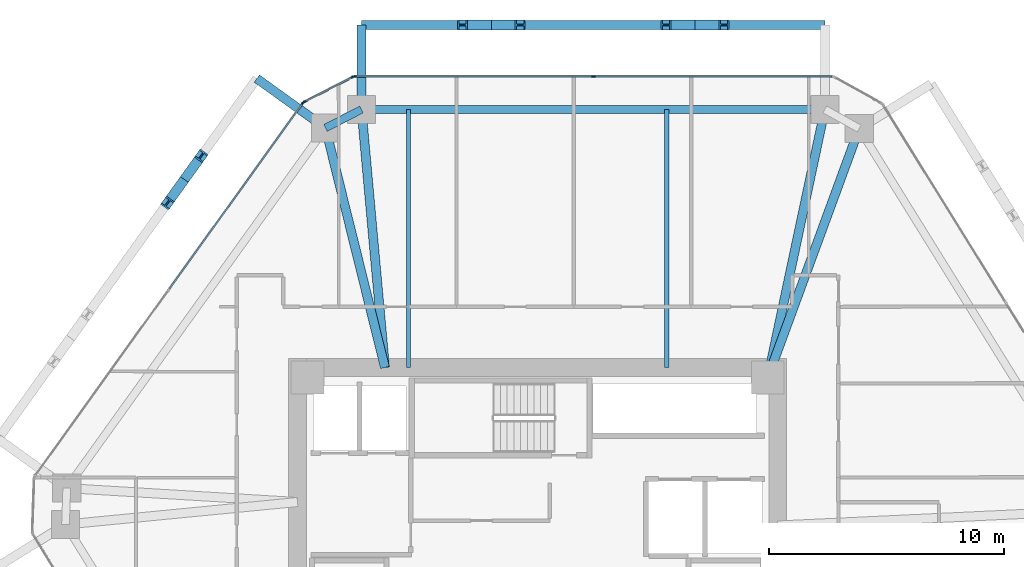
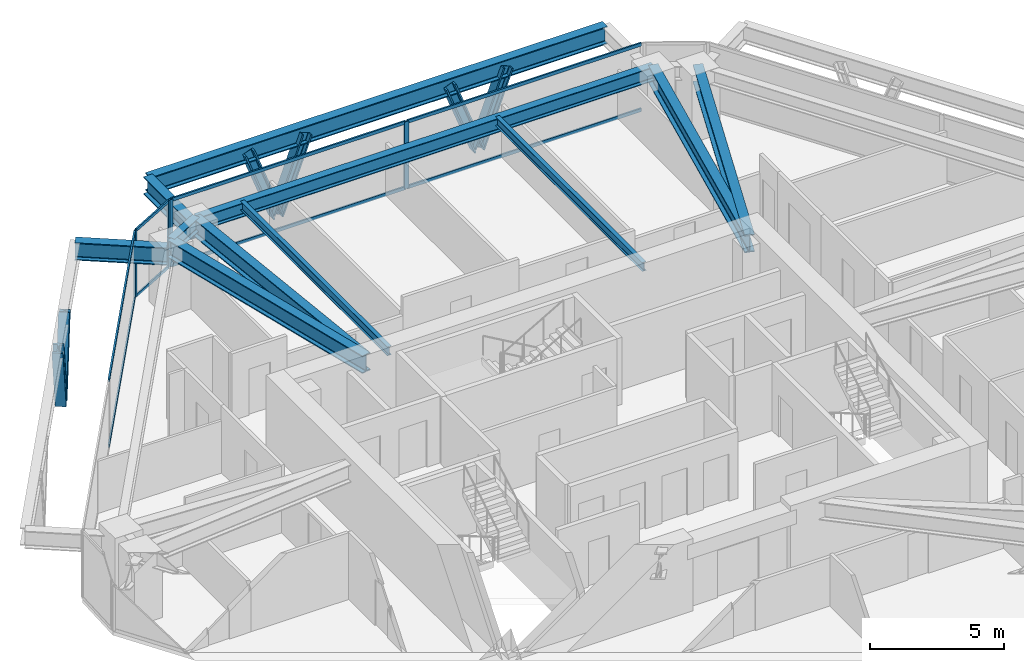
# One storey, part 7 of 14: 19 members, 11 beams, 3 elements without a shape of their own.
"""IFC4 building model written with IfcOpenShell, lengths in metres."""

from ifc_helpers import new_model, si_unit, direction, frame, origin, origin_2d, place, context, subcontext, project, spatial, rectangle, i_section, extrude, source, transform, mapped, material, layer, layer_set, material_profile, profile_set, type_object, type_shapes, element, aggregate, save


model = new_model("IFC4")

# Units and contexts
model_context = context("Model", 3, precision=1e-05, world=origin(), true_north=direction((0.0, 1.0)))
body_context = subcontext(model_context, "Body", "Model", "MODEL_VIEW")
ifc_project = project(units=[si_unit("LENGTHUNIT", "METRE"), si_unit("AREAUNIT", "SQUARE_METRE"), si_unit("VOLUMEUNIT", "CUBIC_METRE"), si_unit("PLANEANGLEUNIT", "RADIAN"), si_unit("MASSUNIT", "GRAM", prefix="KILO")], contexts=[model_context])

# Site, building, storey
site_placement = place(None, origin())
site = spatial("IfcSite", under=ifc_project, at=site_placement, CompositionType="ELEMENT")
building_placement = place(site_placement, origin())
building = spatial("IfcBuilding", under=site, at=building_placement, Name="Durnholm Broadcast Tower", CompositionType="ELEMENT")
storey_placement = place(building_placement, frame((0.0, 0.0, 127.199951171875)))
storey = spatial("IfcBuildingStorey", under=building, at=storey_placement, Name="L34", CompositionType="ELEMENT", Elevation=127.199951171875)

# Beams
ifc_material_1 = material(Name="Steel ASTM A992 Grade 50", Category="steel")
ifc_material_profile_1 = material_profile(ifc_material_1, i_section(OverallWidth=0.385009765625, OverallDepth=0.802978515625, WebThickness=0.023681640625, FlangeThickness=0.0419921875, FilletRadius=0.032958984375, at=origin_2d()), Name="W30X261")
ifc_profile_set_1 = profile_set([ifc_material_profile_1], Name="Steel ASTM A992 Grade 50")
beam_type_1 = type_object("IfcBeamType", Name="BM-EXO-TIE", PredefinedType="USERDEFINED", material=ifc_profile_set_1)
shared_shape_1 = source(origin(), body_context, "Body", "SweptSolid", [
    extrude(i_section(OverallWidth=0.385009765625, OverallDepth=0.802978515625, WebThickness=0.023681640625, FlangeThickness=0.0419921875, FilletRadius=0.032958984375, at=origin_2d()), origin(), (0.0, 0.0, 1.0), 3.4560546875),
])
beam_1_placement = place(storey_placement, frame((-7.498046875, 19.35888671875, 2.30859375), z_axis=(0.0, 1.0, 0.0), x_axis=(-1.0, 0.0, 0.0)))
element("IfcBeam", 1, at=beam_1_placement, inside=storey, type_object=beam_type_1, Name="L34 exoskeleton stand-off tie bracket F4.2", ObjectType="GIRDER", PredefinedType="USERDEFINED", context=body_context, shape_type="MappedRepresentation", body=[
    mapped(shared_shape_1, transform((0.0, 0.0, 0.0), x_axis=(1.0, 0.0, 0.0), y_axis=(0.0, 1.0, 0.0), z_axis=(0.0, 0.0, 1.0), scale=1.0)),
])
ifc_material_profile_2 = material_profile(ifc_material_1, i_section(OverallWidth=0.3291015625, OverallDepth=0.635009765625, WebThickness=0.017822265625, FlangeThickness=0.031005859375, FilletRadius=0.02783203125, at=origin_2d()), Name="W24X162")
ifc_profile_set_2 = profile_set([ifc_material_profile_2], Name="Steel ASTM A992 Grade 50")
beam_type_2 = type_object("IfcBeamType", Name="STL-SP-W24X162", PredefinedType="SPANDREL", material=ifc_profile_set_2)
shared_shape_2 = source(origin(), body_context, "Body", "SweptSolid", [
    extrude(i_section(OverallWidth=0.3291015625, OverallDepth=0.635009765625, WebThickness=0.017822265625, FlangeThickness=0.031005859375, FilletRadius=0.02783203125, at=origin_2d()), origin(), (0.0, 0.0, 1.0), 1.723876953125),
])
beam_2_placement = place(storey_placement, frame((-9.031982421875, 18.42822265625, 2.7275390625), z_axis=(0.889762904339, 0.456423020959, 0.0), x_axis=(-0.456423020959, 0.889762904339, 0.0)))
element("IfcBeam", 2, at=beam_2_placement, inside=storey, type_object=beam_type_2, Name="L34 perimeter spandrel girder 04", PredefinedType="SPANDREL", context=body_context, shape_type="MappedRepresentation", body=[
    mapped(shared_shape_2, transform((0.0, 0.0, 0.0), x_axis=(1.0, 0.0, 0.0), y_axis=(0.0, 1.0, 0.0), z_axis=(0.0, 0.0, 1.0), scale=1.0)),
])
shared_shape_3 = source(origin(), body_context, "Body", "SweptSolid", [
    extrude(i_section(OverallWidth=0.3291015625, OverallDepth=0.635009765625, WebThickness=0.017822265625, FlangeThickness=0.031005859375, FilletRadius=0.02783203125, at=origin_2d()), origin(), (0.0, 0.0, 1.0), 19.72802734375),
])
type_shapes(beam_type_2, [shared_shape_2, shared_shape_3])
beam_3_placement = place(storey_placement, frame((-7.498046875, 19.215087890625, 2.7275390625), z_axis=(1.0, 0.0, 0.0), x_axis=(0.0, 1.0, 0.0)))
element("IfcBeam", 3, at=beam_3_placement, inside=storey, type_object=beam_type_2, Name="L34 perimeter spandrel girder 05", PredefinedType="SPANDREL", context=body_context, shape_type="MappedRepresentation", body=[
    mapped(shared_shape_3, transform((0.0, 0.0, 0.0), x_axis=(1.0, 0.0, 0.0), y_axis=(0.0, 1.0, 0.0), z_axis=(0.0, 0.0, 1.0), scale=1.0)),
])
ifc_material_profile_3 = material_profile(ifc_material_1, i_section(OverallWidth=0.385009765625, OverallDepth=0.802978515625, WebThickness=0.023681640625, FlangeThickness=0.0419921875, FilletRadius=0.032958984375, at=origin_2d()), Name="W30X261")
ifc_profile_set_3 = profile_set([ifc_material_profile_3], Name="Steel ASTM A992 Grade 50")
beam_type_3 = type_object("IfcBeamType", Name="STL-GR-W30X261", PredefinedType="USERDEFINED", material=ifc_profile_set_3)
shared_shape_4 = source(origin(), body_context, "Body", "SweptSolid", [
    extrude(i_section(OverallWidth=0.385009765625, OverallDepth=0.802978515625, WebThickness=0.023681640625, FlangeThickness=0.0419921875, FilletRadius=0.032958984375, at=origin_2d()), origin(), (0.0, 0.0, 1.0), 10.5126953125),
])
beam_4_placement = place(storey_placement, frame((-6.5, 8.22509765625, 2.6435546875), z_axis=(-0.240852230194, 0.970561797729, 0.0), x_axis=(-0.970561797729, -0.240852230194, 0.0)))
element("IfcBeam", 4, at=beam_4_placement, inside=storey, type_object=beam_type_3, Name="L34 radial primary floor girder 04", ObjectType="GIRDER", PredefinedType="USERDEFINED", context=body_context, shape_type="MappedRepresentation", body=[
    mapped(shared_shape_4, transform((0.0, 0.0, 0.0), x_axis=(1.0, 0.0, 0.0), y_axis=(0.0, 1.0, 0.0), z_axis=(0.0, 0.0, 1.0), scale=1.0)),
])
shared_shape_5 = source(origin(), body_context, "Body", "SweptSolid", [
    extrude(i_section(OverallWidth=0.385009765625, OverallDepth=0.802978515625, WebThickness=0.023681640625, FlangeThickness=0.0419921875, FilletRadius=0.032958984375, at=origin_2d()), origin(), (0.0, 0.0, 1.0), 11.03515625),
])
beam_5_placement = place(storey_placement, frame((-6.5, 8.22509765625, 2.6435546875), z_axis=(-0.090441991612, 0.995901725148, 0.0), x_axis=(-0.995901725148, -0.090441991612, 0.0)))
element("IfcBeam", 5, at=beam_5_placement, inside=storey, type_object=beam_type_3, Name="L34 radial primary floor girder 05", ObjectType="GIRDER", PredefinedType="USERDEFINED", context=body_context, shape_type="MappedRepresentation", body=[
    mapped(shared_shape_5, transform((0.0, 0.0, 0.0), x_axis=(1.0, 0.0, 0.0), y_axis=(0.0, 1.0, 0.0), z_axis=(0.0, 0.0, 1.0), scale=1.0)),
])
shared_shape_6 = source(origin(), body_context, "Body", "SweptSolid", [
    extrude(i_section(OverallWidth=0.385009765625, OverallDepth=0.802978515625, WebThickness=0.023681640625, FlangeThickness=0.0419921875, FilletRadius=0.032958984375, at=origin_2d()), origin(), (0.0, 0.0, 1.0), 11.6708984375),
])
beam_6_placement = place(storey_placement, frame((9.800048828125, 7.800048828125, 2.6435546875), z_axis=(0.208206004915, 0.97808499606, 0.0), x_axis=(-0.97808499606, 0.208206004915, 0.0)))
element("IfcBeam", 6, at=beam_6_placement, inside=storey, type_object=beam_type_3, Name="L34 radial primary floor girder 06", ObjectType="GIRDER", PredefinedType="USERDEFINED", context=body_context, shape_type="MappedRepresentation", body=[
    mapped(shared_shape_6, transform((0.0, 0.0, 0.0), x_axis=(1.0, 0.0, 0.0), y_axis=(0.0, 1.0, 0.0), z_axis=(0.0, 0.0, 1.0), scale=1.0)),
])
shared_shape_7 = source(origin(), body_context, "Body", "SweptSolid", [
    extrude(i_section(OverallWidth=0.385009765625, OverallDepth=0.802978515625, WebThickness=0.023681640625, FlangeThickness=0.0419921875, FilletRadius=0.032958984375, at=origin_2d()), origin(), (0.0, 0.0, 1.0), 11.293212890625),
])
type_shapes(beam_type_3, [shared_shape_4, shared_shape_5, shared_shape_6, shared_shape_7])
beam_7_placement = place(storey_placement, frame((9.800048828125, 7.800048828125, 2.6435546875), z_axis=(0.344640193759, 0.938734859716, 0.0), x_axis=(-0.938734859716, 0.344640193759, 0.0)))
element("IfcBeam", 7, at=beam_7_placement, inside=storey, type_object=beam_type_3, Name="L34 radial primary floor girder 07", ObjectType="GIRDER", PredefinedType="USERDEFINED", context=body_context, shape_type="MappedRepresentation", body=[
    mapped(shared_shape_7, transform((0.0, 0.0, 0.0), x_axis=(1.0, 0.0, 0.0), y_axis=(0.0, 1.0, 0.0), z_axis=(0.0, 0.0, 1.0), scale=1.0)),
])
ifc_material_profile_4 = material_profile(ifc_material_1, i_section(OverallWidth=0.177734375, OverallDepth=0.40673828125, WebThickness=0.0078125, FlangeThickness=0.0126953125, FilletRadius=0.01904296875, at=origin_2d()), Name="W16X40")
ifc_profile_set_4 = profile_set([ifc_material_profile_4], Name="Steel ASTM A992 Grade 50")
beam_type_4 = type_object("IfcBeamType", Name="STL-BJ-W16X40", PredefinedType="JOIST", material=ifc_profile_set_4)
shared_shape_8 = source(origin(), body_context, "Body", "SweptSolid", [
    extrude(i_section(OverallWidth=0.177734375, OverallDepth=0.40673828125, WebThickness=0.0078125, FlangeThickness=0.0126953125, FilletRadius=0.01904296875, at=origin_2d()), origin(), (0.0, 0.0, 1.0), 10.989990234375),
])
type_shapes(beam_type_4, [shared_shape_8])
for number, where, z_axis, x_axis, name in (
    (8, (-5.5, 8.22509765625, 2.841796875), (0.0, 1.0, 0.0), (-1.0, 0.0, 0.0), "L34 secondary floor joist 3.2"),
    (9, (5.5, 8.22509765625, 2.841796875), (0.0, 1.0, 0.0), (-1.0, 0.0, 0.0), "L34 secondary floor joist 4.2"),
):
    element("IfcBeam", number, at=place(storey_placement, frame(where, z_axis=z_axis, x_axis=x_axis)), inside=storey, type_object=beam_type_4, Name=name, PredefinedType="JOIST", context=body_context, shape_type="MappedRepresentation", body=[
        mapped(shared_shape_8, transform((0.0, 0.0, 0.0), x_axis=(1.0, 0.0, 0.0), y_axis=(0.0, 1.0, 0.0), z_axis=(0.0, 0.0, 1.0), scale=1.0)),
    ])
shared_shape_9 = source(origin(), body_context, "Body", "SweptSolid", [
    extrude(i_section(OverallWidth=0.385009765625, OverallDepth=0.802978515625, WebThickness=0.023681640625, FlangeThickness=0.0419921875, FilletRadius=0.032958984375, at=origin_2d()), origin(), (0.0, 0.0, 1.0), 19.72802734375),
])
beam_8_placement = place(storey_placement, frame((12.22998046875, 22.81494140625, 2.30859375), z_axis=(-1.0, 0.0, 0.0), x_axis=(0.0, -1.0, 0.0)))
element("IfcBeam", 10, at=beam_8_placement, inside=storey, type_object=beam_type_1, Name="L34 exoskeleton collector spandrel F4", PredefinedType="SPANDREL", context=body_context, shape_type="MappedRepresentation", body=[
    mapped(shared_shape_9, transform((0.0, 0.0, 0.0), x_axis=(1.0, 0.0, 0.0), y_axis=(0.0, 1.0, 0.0), z_axis=(0.0, 0.0, 1.0), scale=1.0)),
])
shared_shape_10 = source(origin(), body_context, "Body", "SweptSolid", [
    extrude(i_section(OverallWidth=0.385009765625, OverallDepth=0.802978515625, WebThickness=0.023681640625, FlangeThickness=0.0419921875, FilletRadius=0.032958984375, at=origin_2d()), origin(), (0.0, 0.0, 1.0), 3.456298828125),
])
type_shapes(beam_type_1, [shared_shape_1, shared_shape_9, shared_shape_10])
beam_9_placement = place(storey_placement, frame((-9.14892578125, 18.51220703125, 2.30859375), z_axis=(-0.812131479052, 0.583474473077, 0.0), x_axis=(-0.583474473077, -0.812131479052, 0.0)))
element("IfcBeam", 11, at=beam_9_placement, inside=storey, type_object=beam_type_1, Name="L34 exoskeleton stand-off tie bracket F5.1", ObjectType="GIRDER", PredefinedType="USERDEFINED", context=body_context, shape_type="MappedRepresentation", body=[
    mapped(shared_shape_10, transform((0.0, 0.0, 0.0), x_axis=(1.0, 0.0, 0.0), y_axis=(0.0, 1.0, 0.0), z_axis=(0.0, 0.0, 1.0), scale=1.0)),
])

# Members
ifc_material_2 = material(Name="Steel ASTM A913 Grade 65", Category="steel")
ifc_material_profile_5 = material_profile(ifc_material_2, i_section(OverallWidth=0.41845703125, OverallDepth=0.455078125, WebThickness=0.0419921875, FlangeThickness=0.067626953125, FilletRadius=0.030517578125, at=origin_2d()), Name="W14X370")
ifc_profile_set_5 = profile_set([ifc_material_profile_5], Name="Steel ASTM A913 Grade 65")
member_type_1 = type_object("IfcMemberType", Name="STL-DG-W14X370", PredefinedType="BRACE", material=ifc_profile_set_5)
shared_shape_11 = source(origin(), body_context, "Body", "SweptSolid", [
    extrude(i_section(OverallWidth=0.41845703125, OverallDepth=0.455078125, WebThickness=0.0419921875, FlangeThickness=0.067626953125, FilletRadius=0.030517578125, at=origin_2d()), origin(), (0.0, 0.0, 1.0), 3.523193359375),
])
type_shapes(member_type_1, [shared_shape_11])
for number, where, z_axis, x_axis, name in (
    (12, (6.7060546875, 22.81494140625, -0.991455078125), (0.350219588454, 0.0, 0.936667625075), (0.0, 1.0, 0.0), "L34 stand-off diagrid brace F4.D1.1"),
    (13, (6.7060546875, 22.81494140625, -0.991455078125), (-0.350158790071, 0.0, 0.936690355313), (0.0, -1.0, 0.0), "L34 stand-off diagrid brace F4.D1.2"),
    (14, (-1.974365234375, 22.81494140625, -0.991455078125), (0.350219588454, 0.0, 0.936667625075), (0.0, 1.0, 0.0), "L34 stand-off diagrid brace F4.D2.1"),
    (15, (-1.974365234375, 22.81494140625, -0.991455078125), (-0.350158790071, 0.0, 0.936690355313), (0.0, -1.0, 0.0), "L34 stand-off diagrid brace F4.D2.2"),
    (16, (-15.040771484375, 16.234375, -0.991455078125), (0.204287819296, 0.284395254542, 0.936688756248), (-0.812179469647, 0.583407669717, 0.0), "L34 stand-off diagrid brace F5.D1.1"),
    (17, (-15.040771484375, 16.234375, -0.991455078125), (-0.204354222964, -0.284391227889, 0.936675493998), (0.812085698931, -0.583538188632, 0.0), "L34 stand-off diagrid brace F5.D1.2"),
):
    element("IfcMember", number, at=place(storey_placement, frame(where, z_axis=z_axis, x_axis=x_axis)), inside=storey, type_object=member_type_1, Name=name, PredefinedType="BRACE", context=body_context, shape_type="MappedRepresentation", body=[
        mapped(shared_shape_11, transform((0.0, 0.0, 0.0), x_axis=(1.0, 0.0, 0.0), y_axis=(0.0, 1.0, 0.0), z_axis=(0.0, 0.0, 1.0), scale=1.0)),
    ])

# Curtain wall, members
ifc_material_3 = material(Name="Aluminium and Solar Control IGU", Category="aluminium")
ifc_layer_1 = layer(ifc_material_3, 0.1650390625)
ifc_layer_set_1 = layer_set([ifc_layer_1], Name="Aluminium and Solar Control IGU")
curtain_wall_type_1 = type_object("IfcCurtainWallType", Name="CW-SYS-5", PredefinedType="NOTDEFINED", material=ifc_layer_set_1)
curtain_wall_1_placement = place(storey_placement, origin())
curtain_wall_1 = element("IfcCurtainWall", 18, at=curtain_wall_1_placement, inside=storey, type_object=curtain_wall_type_1, Name="L34 curtain wall CW-CORNER CW-L34-CRN-03", PredefinedType="NOTDEFINED")
ifc_material_4 = material(Name="Aluminium 6063-T6", Category="aluminium")
ifc_material_profile_6 = material_profile(ifc_material_4, rectangle(XDim=0.06494140625, YDim=0.1650390625, at=origin_2d()), Name="CWM65X165")
ifc_profile_set_6 = profile_set([ifc_material_profile_6], Name="Aluminium 6063-T6")
member_type_2 = type_object("IfcMemberType", Name="CW-SYS-5-MUL", PredefinedType="MULLION", material=ifc_profile_set_6)
shared_shape_12 = source(origin(), body_context, "Body", "SweptSolid", [
    extrude(rectangle(XDim=0.06494140625, YDim=0.1650390625, at=origin_2d()), origin(), (0.0, 0.0, 1.0), 3.06005859375),
])
type_shapes(member_type_2, [shared_shape_12])
member_1_placement = place(storey_placement, frame((-9.94287109375, 19.534423828125, 0.0), z_axis=(0.0, 0.0, 1.0), x_axis=(-0.45637332267, 0.889788396392, 0.0)))
member_1 = element("IfcMember", 19, at=member_1_placement, type_object=member_type_2, Name="CW-CORNER mullion 1", PredefinedType="MULLION", context=body_context, shape_type="MappedRepresentation", body=[
    mapped(shared_shape_12, transform((0.0, 0.0, 0.0), x_axis=(1.0, 0.0, 0.0), y_axis=(0.0, 1.0, 0.0), z_axis=(0.0, 0.0, 1.0), scale=1.0)),
])
member_2_placement = place(storey_placement, frame((-7.865234375, 20.60009765625, 0.0), z_axis=(0.0, 0.0, 1.0), x_axis=(-0.45637332267, 0.889788396392, 0.0)))
member_2 = element("IfcMember", 20, at=member_2_placement, type_object=member_type_2, Name="CW-CORNER mullion 2", PredefinedType="MULLION", context=body_context, shape_type="MappedRepresentation", body=[
    mapped(shared_shape_12, transform((0.0, 0.0, 0.0), x_axis=(1.0, 0.0, 0.0), y_axis=(0.0, 1.0, 0.0), z_axis=(0.0, 0.0, 1.0), scale=1.0)),
])

# Curtain wall, member
ifc_layer_2 = layer(ifc_material_3, 0.18994140625)
ifc_layer_set_2 = layer_set([ifc_layer_2], Name="Aluminium and Solar Control IGU")
curtain_wall_type_2 = type_object("IfcCurtainWallType", Name="CW-SYS-3", PredefinedType="NOTDEFINED", material=ifc_layer_set_2)
curtain_wall_2_placement = place(storey_placement, origin())
curtain_wall_2 = element("IfcCurtainWall", 21, at=curtain_wall_2_placement, inside=storey, type_object=curtain_wall_type_2, Name="L34 curtain wall CW-Z12-VIS CW-L34-F02", PredefinedType="NOTDEFINED")
ifc_material_profile_7 = material_profile(ifc_material_4, rectangle(XDim=0.070068359375, YDim=0.18994140625, at=origin_2d()), Name="CWM70X190")
ifc_profile_set_7 = profile_set([ifc_material_profile_7], Name="Aluminium 6063-T6")
member_type_3 = type_object("IfcMemberType", Name="CW-SYS-3-MUL", PredefinedType="MULLION", material=ifc_profile_set_7)
shared_shape_13 = source(origin(), body_context, "Body", "SweptSolid", [
    extrude(rectangle(XDim=0.070068359375, YDim=0.18994140625, at=origin_2d()), origin(), (0.0, 0.0, 1.0), 3.06005859375),
])
type_shapes(member_type_3, [shared_shape_13])
member_3_placement = place(storey_placement, frame((-9.9921875, 19.4912109375, 0.0), z_axis=(0.0, 0.0, 1.0), x_axis=(-0.812152312759, 0.583445473786, 0.0)))
member_3 = element("IfcMember", 22, at=member_3_placement, type_object=member_type_3, Name="CW-Z12-VIS mullion 3", PredefinedType="MULLION", context=body_context, shape_type="MappedRepresentation", body=[
    mapped(shared_shape_13, transform((0.0, 0.0, 0.0), x_axis=(1.0, 0.0, 0.0), y_axis=(0.0, 1.0, 0.0), z_axis=(0.0, 0.0, 1.0), scale=1.0)),
])

# Curtain wall, members
curtain_wall_3_placement = place(storey_placement, origin())
curtain_wall_3 = element("IfcCurtainWall", 23, at=curtain_wall_3_placement, inside=storey, type_object=curtain_wall_type_2, Name="L34 curtain wall CW-Z12-VIS CW-L34-F04", PredefinedType="NOTDEFINED")
member_4_placement = place(storey_placement, frame((-7.80126953125, 20.614990234375, 0.0), z_axis=(0.0, 0.0, 1.0), x_axis=(0.0, 1.0, 0.0)))
member_4 = element("IfcMember", 24, at=member_4_placement, type_object=member_type_3, Name="CW-Z12-VIS mullion 1", PredefinedType="MULLION", context=body_context, shape_type="MappedRepresentation", body=[
    mapped(shared_shape_13, transform((0.0, 0.0, 0.0), x_axis=(1.0, 0.0, 0.0), y_axis=(0.0, 1.0, 0.0), z_axis=(0.0, 0.0, 1.0), scale=1.0)),
])
member_5_placement = place(storey_placement, frame((2.37841796875, 20.614990234375, 0.0), z_axis=(0.0, 0.0, 1.0), x_axis=(0.0, 1.0, 0.0)))
member_5 = element("IfcMember", 25, at=member_5_placement, type_object=member_type_3, Name="CW-Z12-VIS mullion 2", PredefinedType="MULLION", context=body_context, shape_type="MappedRepresentation", body=[
    mapped(shared_shape_13, transform((0.0, 0.0, 0.0), x_axis=(1.0, 0.0, 0.0), y_axis=(0.0, 1.0, 0.0), z_axis=(0.0, 0.0, 1.0), scale=1.0)),
])

# Member
ifc_material_profile_8 = material_profile(ifc_material_4, rectangle(XDim=0.06494140625, YDim=0.1298828125, at=origin_2d()), Name="CWT65X130")
ifc_profile_set_8 = profile_set([ifc_material_profile_8], Name="Aluminium 6063-T6")
member_type_4 = type_object("IfcMemberType", Name="CW-SYS-5-TRN", PredefinedType="USERDEFINED", material=ifc_profile_set_8)
shared_shape_14 = source(origin(), body_context, "Body", "SweptSolid", [
    extrude(rectangle(XDim=0.06494140625, YDim=0.1298828125, at=origin_2d()), origin(), (0.0, 0.0, 1.0), 2.27001953125),
])
type_shapes(member_type_4, [shared_shape_14])
member_6_placement = place(storey_placement, frame((-9.913818359375, 19.54931640625, 0.032470703125), z_axis=(0.889754750021, 0.456438916849, 0.0), x_axis=(-0.456438916849, 0.889754750021, 0.0)))
member_6 = element("IfcMember", 26, at=member_6_placement, type_object=member_type_4, Name="CW-CORNER transom 1.1", ObjectType="TRANSOM", PredefinedType="USERDEFINED", context=body_context, shape_type="MappedRepresentation", body=[
    mapped(shared_shape_14, transform((0.0, 0.0, 0.0), x_axis=(1.0, 0.0, 0.0), y_axis=(0.0, 1.0, 0.0), z_axis=(0.0, 0.0, 1.0), scale=1.0)),
])

member_7_placement = place(storey_placement, frame((-9.913818359375, 19.54931640625, 3.027587890625), z_axis=(0.889754750021, 0.456438916849, 0.0), x_axis=(-0.456438916849, 0.889754750021, 0.0)))
member_7 = element("IfcMember", 27, at=member_7_placement, type_object=member_type_4, Name="CW-CORNER transom 1.2", ObjectType="TRANSOM", PredefinedType="USERDEFINED", context=body_context, shape_type="MappedRepresentation", body=[
    mapped(shared_shape_14, transform((0.0, 0.0, 0.0), x_axis=(1.0, 0.0, 0.0), y_axis=(0.0, 1.0, 0.0), z_axis=(0.0, 0.0, 1.0), scale=1.0)),
])

aggregate(curtain_wall_1, [member_1, member_2, member_6, member_7])

ifc_material_profile_9 = material_profile(ifc_material_4, rectangle(XDim=0.070068359375, YDim=0.14990234375, at=origin_2d()), Name="CWT70X150")
ifc_profile_set_9 = profile_set([ifc_material_profile_9], Name="Aluminium 6063-T6")
member_type_5 = type_object("IfcMemberType", Name="CW-SYS-3-TRN", PredefinedType="USERDEFINED", material=ifc_profile_set_9)
shared_shape_15 = source(origin(), body_context, "Body", "SweptSolid", [
    extrude(rectangle(XDim=0.070068359375, YDim=0.14990234375, at=origin_2d()), origin(), (0.0, 0.0, 1.0), 9.71875),
])
member_8_placement = place(storey_placement, frame((-15.682861328125, 11.56982421875, 0.03515625), z_axis=(0.583450726174, 0.812148539448, 0.0), x_axis=(-0.812148539448, 0.583450726174, 0.0)))
member_8 = element("IfcMember", 28, at=member_8_placement, type_object=member_type_5, Name="CW-Z12-VIS transom 2.1", ObjectType="TRANSOM", PredefinedType="USERDEFINED", context=body_context, shape_type="MappedRepresentation", body=[
    mapped(shared_shape_15, transform((0.0, 0.0, 0.0), x_axis=(1.0, 0.0, 0.0), y_axis=(0.0, 1.0, 0.0), z_axis=(0.0, 0.0, 1.0), scale=1.0)),
])

member_9_placement = place(storey_placement, frame((-15.682861328125, 11.56982421875, 3.025146484375), z_axis=(0.583450726174, 0.812148539448, 0.0), x_axis=(-0.812148539448, 0.583450726174, 0.0)))
member_9 = element("IfcMember", 29, at=member_9_placement, type_object=member_type_5, Name="CW-Z12-VIS transom 2.2", ObjectType="TRANSOM", PredefinedType="USERDEFINED", context=body_context, shape_type="MappedRepresentation", body=[
    mapped(shared_shape_15, transform((0.0, 0.0, 0.0), x_axis=(1.0, 0.0, 0.0), y_axis=(0.0, 1.0, 0.0), z_axis=(0.0, 0.0, 1.0), scale=1.0)),
])

aggregate(curtain_wall_2, [member_3, member_8, member_9])

shared_shape_16 = source(origin(), body_context, "Body", "SweptSolid", [
    extrude(rectangle(XDim=0.070068359375, YDim=0.14990234375, at=origin_2d()), origin(), (0.0, 0.0, 1.0), 10.109619140625),
])
type_shapes(member_type_5, [shared_shape_15, shared_shape_16])
member_10_placement = place(storey_placement, frame((-7.76611328125, 20.614990234375, 0.03515625), z_axis=(1.0, 0.0, 0.0), x_axis=(0.0, 1.0, 0.0)))
member_10 = element("IfcMember", 30, at=member_10_placement, type_object=member_type_5, Name="CW-Z12-VIS transom 1.1", ObjectType="TRANSOM", PredefinedType="USERDEFINED", context=body_context, shape_type="MappedRepresentation", body=[
    mapped(shared_shape_16, transform((0.0, 0.0, 0.0), x_axis=(1.0, 0.0, 0.0), y_axis=(0.0, 1.0, 0.0), z_axis=(0.0, 0.0, 1.0), scale=1.0)),
])

member_11_placement = place(storey_placement, frame((-7.76611328125, 20.614990234375, 3.025146484375), z_axis=(1.0, 0.0, 0.0), x_axis=(0.0, 1.0, 0.0)))
member_11 = element("IfcMember", 31, at=member_11_placement, type_object=member_type_5, Name="CW-Z12-VIS transom 1.2", ObjectType="TRANSOM", PredefinedType="USERDEFINED", context=body_context, shape_type="MappedRepresentation", body=[
    mapped(shared_shape_16, transform((0.0, 0.0, 0.0), x_axis=(1.0, 0.0, 0.0), y_axis=(0.0, 1.0, 0.0), z_axis=(0.0, 0.0, 1.0), scale=1.0)),
])

member_12_placement = place(storey_placement, frame((2.41357421875, 20.614990234375, 0.03515625), z_axis=(1.0, 0.0, 0.0), x_axis=(0.0, 1.0, 0.0)))
member_12 = element("IfcMember", 32, at=member_12_placement, type_object=member_type_5, Name="CW-Z12-VIS transom 2.1", ObjectType="TRANSOM", PredefinedType="USERDEFINED", context=body_context, shape_type="MappedRepresentation", body=[
    mapped(shared_shape_16, transform((0.0, 0.0, 0.0), x_axis=(1.0, 0.0, 0.0), y_axis=(0.0, 1.0, 0.0), z_axis=(0.0, 0.0, 1.0), scale=1.0)),
])

member_13_placement = place(storey_placement, frame((2.41357421875, 20.614990234375, 3.025146484375), z_axis=(1.0, 0.0, 0.0), x_axis=(0.0, 1.0, 0.0)))
member_13 = element("IfcMember", 33, at=member_13_placement, type_object=member_type_5, Name="CW-Z12-VIS transom 2.2", ObjectType="TRANSOM", PredefinedType="USERDEFINED", context=body_context, shape_type="MappedRepresentation", body=[
    mapped(shared_shape_16, transform((0.0, 0.0, 0.0), x_axis=(1.0, 0.0, 0.0), y_axis=(0.0, 1.0, 0.0), z_axis=(0.0, 0.0, 1.0), scale=1.0)),
])

aggregate(curtain_wall_3, [member_4, member_5, member_10, member_11, member_12, member_13])

save(model, "model.ifc")
